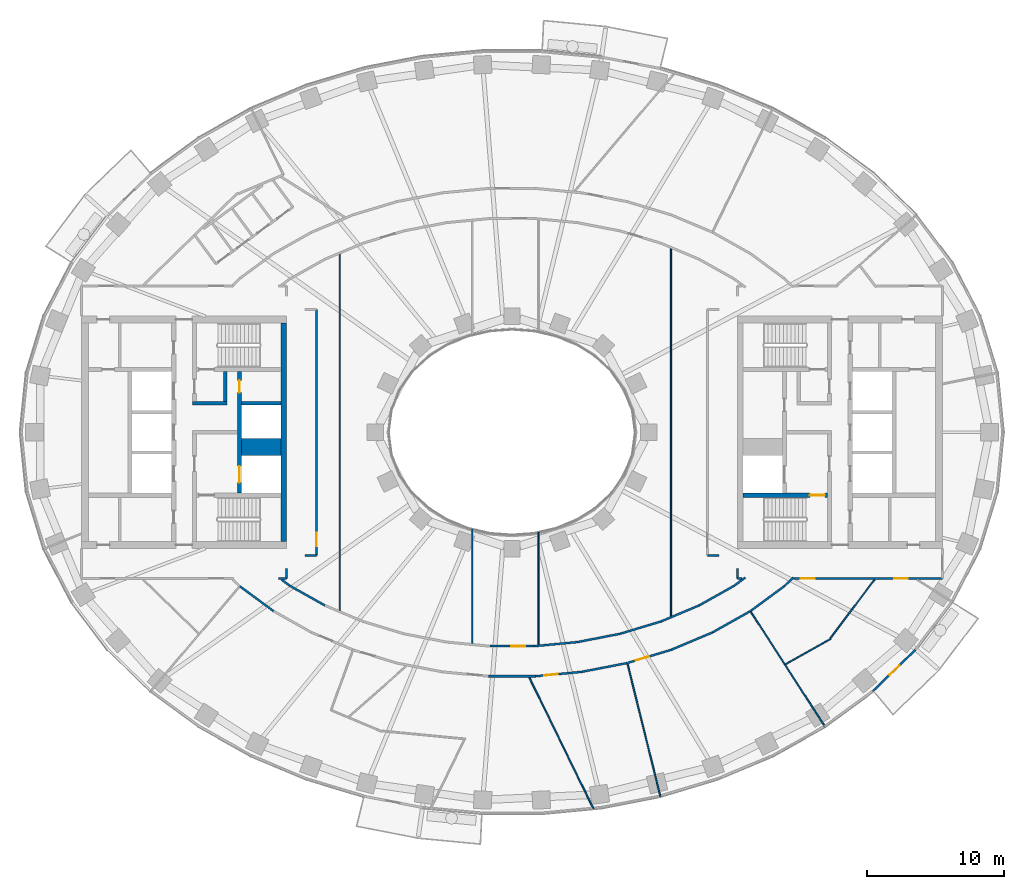
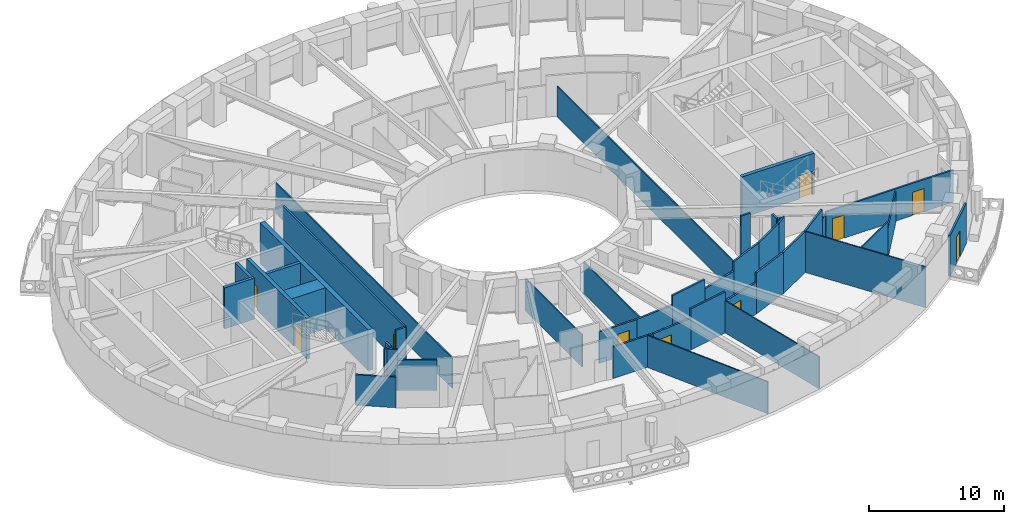
# One storey, part 4 of 17: 43 walls, 10 doors, 10 openings.
"""IFC4 building model written with IfcOpenShell, lengths in metres."""

from ifc_helpers import new_model, si_unit, direction, frame, frame_2d, origin, place, context, subcontext, project, spatial, rectangle, extrude, material, layer, layer_set, type_object, element, fill, save


model = new_model("IFC4")

# Units and contexts
model_context = context("Model", 3, precision=1e-05, world=origin(), true_north=direction((0.0, 1.0)))
body_context = subcontext(model_context, "Body", "Model", "MODEL_VIEW")
ifc_project = project(units=[si_unit("LENGTHUNIT", "METRE"), si_unit("AREAUNIT", "SQUARE_METRE"), si_unit("VOLUMEUNIT", "CUBIC_METRE"), si_unit("PLANEANGLEUNIT", "RADIAN"), si_unit("MASSUNIT", "GRAM", prefix="KILO")], contexts=[model_context])

# Site, building, storey
site_placement = place(None, origin())
site = spatial("IfcSite", under=ifc_project, at=site_placement, CompositionType="ELEMENT")
building_placement = place(site_placement, origin())
building = spatial("IfcBuilding", under=site, at=building_placement, Name="Noorbagh Ring Tower", CompositionType="ELEMENT")
storey_placement = place(building_placement, frame((0.0, 0.0, 112.0)))
storey = spatial("IfcBuildingStorey", under=building, at=storey_placement, Name="L25", CompositionType="ELEMENT", Elevation=112.0)

# Walls
ifc_material_1 = material(Name="Concrete C70/85", Category="concrete")
ifc_layer_1 = layer(ifc_material_1, 1.25)
ifc_layer_set_1 = layer_set([ifc_layer_1], Name="Concrete C70/85")
wall_type_1 = type_object("IfcWallType", Name="CORE-WALL-1250-C70-85-EI120", PredefinedType="SHEAR", material=ifc_layer_set_1)
wall_1_placement = place(storey_placement, frame((-16.89990234375, -1.074951171875, 0.0), z_axis=(0.0, 0.0, 1.0), x_axis=(-1.0, 0.0, 0.0)))
element("IfcWall", 1, at=wall_1_placement, inside=storey, type_object=wall_type_1, Name="Core wall W", PredefinedType="SHEAR", context=body_context, shape_type="SweptSolid", body=[
    extrude(rectangle(XDim=2.900146484375, YDim=1.25, at=frame_2d((1.4501953125, 0.0))), origin(), (0.0, 0.0, 1.0), 3.699951171875),
])
ifc_material_2 = material(Name="Concrete C70/85", Category="concrete")
ifc_layer_2 = layer(ifc_material_2, 0.25)
ifc_layer_set_2 = layer_set([ifc_layer_2], Name="Concrete C70/85")
wall_type_2 = type_object("IfcWallType", Name="CORE-WALL-250-C70-85-EI120", PredefinedType="SHEAR", material=ifc_layer_set_2)
wall_2_placement = place(storey_placement, frame((-16.89990234375, 2.125, 0.0), z_axis=(0.0, 0.0, 1.0), x_axis=(-1.0, 0.0, 0.0)))
element("IfcWall", 2, at=wall_2_placement, inside=storey, type_object=wall_type_2, Name="Core wall W", PredefinedType="SHEAR", context=body_context, shape_type="SweptSolid", body=[
    extrude(rectangle(XDim=2.900146484375, YDim=0.25, at=frame_2d((1.4501953125, 0.0))), origin(), (0.0, 0.0, 1.0), 3.699951171875),
])
ifc_material_3 = material(Name="Concrete C70/85", Category="concrete")
ifc_layer_3 = layer(ifc_material_3, 0.25)
ifc_layer_set_3 = layer_set([ifc_layer_3], Name="Concrete C70/85")
wall_type_3 = type_object("IfcWallType", Name="CORE-WALL-250-C70-85-EI240", PredefinedType="SHEAR", material=ifc_layer_set_3)
wall_3_placement = place(storey_placement, frame((-20.85009765625, 2.125, 0.0), z_axis=(0.0, 0.0, 1.0), x_axis=(-1.0, 0.0, 0.0)))
element("IfcWall", 3, at=wall_3_placement, inside=storey, type_object=wall_type_3, Name="Core wall W", PredefinedType="SHEAR", context=body_context, shape_type="SweptSolid", body=[
    extrude(rectangle(XDim=2.52978515625, YDim=0.25, at=frame_2d((1.264892578125, 0.0))), origin(), (0.0, 0.0, 1.0), 3.699951171875),
])
wall_4_placement = place(storey_placement, frame((-20.97509765625, 2.25, 0.0), z_axis=(0.0, 0.0, 1.0), x_axis=(0.0, 1.0, 0.0)))
element("IfcWall", 4, at=wall_4_placement, inside=storey, type_object=wall_type_3, Name="Core wall W", PredefinedType="SHEAR", context=body_context, shape_type="SweptSolid", body=[
    extrude(rectangle(XDim=2.199951171875, YDim=0.25, at=frame_2d((1.10009765625, 0.0))), origin(), (0.0, 0.0, 1.0), 3.699951171875),
])

# Wall, openings, doors
ifc_material_4 = material(Name="Concrete C70/85", Category="concrete")
ifc_layer_4 = layer(ifc_material_4, 0.300048828125)
ifc_layer_set_4 = layer_set([ifc_layer_4], Name="Concrete C70/85")
wall_type_4 = type_object("IfcWallType", Name="CORE-WALL-300-C70-85-EI120", PredefinedType="SHEAR", material=ifc_layer_set_4)
wall_5_placement = place(storey_placement, frame((-19.949951171875, -4.449951171875, 0.0), z_axis=(0.0, 0.0, 1.0), x_axis=(0.0, 1.0, 0.0)))
wall_5 = element("IfcWall", 5, at=wall_5_placement, inside=storey, type_object=wall_type_4, Name="Core wall W", PredefinedType="SHEAR", context=body_context, shape_type="SweptSolid", body=[
    extrude(rectangle(XDim=8.89990234375, YDim=0.300048828125, at=frame_2d((4.449951171875, 0.0))), origin(), (0.0, 0.0, 1.0), 3.699951171875),
])
opening_1_placement = place(wall_5_placement, frame((0.77490234375, 0.0, 0.0)))
opening_1 = element("IfcOpeningElement", 6, at=opening_1_placement, cuts=wall_5, Name="Opening L25-CW01", PredefinedType="OPENING", context=body_context, shape_type="SweptSolid", body=[
    extrude(rectangle(XDim=1.199951171875, YDim=2.10009765625, at=frame_2d((0.60009765625, 1.050048828125))), frame((0.0, 0.16015625, 0.0), z_axis=(0.0, -1.0, 0.0), x_axis=(1.0, 0.0, 0.0)), (0.0, 0.0, 1.0), 0.320068359375),
])
opening_2_placement = place(wall_5_placement, frame((7.35009765625, 0.0, 0.0)))
opening_2 = element("IfcOpeningElement", 7, at=opening_2_placement, cuts=wall_5, Name="Opening L25-CW11", PredefinedType="OPENING", context=body_context, shape_type="SweptSolid", body=[
    extrude(rectangle(XDim=0.89990234375, YDim=2.10009765625, at=frame_2d((0.449951171875, 1.050048828125))), frame((0.0, 0.16015625, 0.0), z_axis=(0.0, -1.0, 0.0), x_axis=(1.0, 0.0, 0.0)), (0.0, 0.0, 1.0), 0.320068359375),
])
ifc_material_5 = material(Name="Steel door leaf", Category="steel")
door_type_1 = type_object("IfcDoorType", Name="CORE-DOOR-DROOM", OperationType="SINGLE_SWING_LEFT", PredefinedType="DOOR", material=ifc_material_5)
door_1_placement = place(opening_2_placement, origin())
door_1 = element("IfcDoor", 8, at=door_1_placement, inside=storey, type_object=door_type_1, Name="Core room door L25-CW11", OperationType="SINGLE_SWING_LEFT", OverallHeight=2.10009765625, OverallWidth=0.89990234375, PredefinedType="DOOR", context=body_context, shape_type="SweptSolid", body=[
    extrude(rectangle(XDim=0.89990234375, YDim=2.10009765625, at=frame_2d((0.449951171875, 1.050048828125))), frame((0.0, 0.02490234375, 0.0), z_axis=(0.0, -1.0, 0.0), x_axis=(1.0, 0.0, 0.0)), (0.0, 0.0, 1.0), 0.050048828125),
])
fill(opening_2, door_1)
ifc_material_6 = material(Name="Steel door leaf", Category="steel")
door_type_2 = type_object("IfcDoorType", Name="CORE-DOOR-LDW", OperationType="DOUBLE_DOOR_SLIDING", PredefinedType="DOOR", material=ifc_material_6)
door_2_placement = place(opening_1_placement, origin())
door_2 = element("IfcDoor", 9, at=door_2_placement, inside=storey, type_object=door_type_2, Name="Landing door FF1 L25-CW01", OperationType="DOUBLE_DOOR_SLIDING", OverallHeight=2.10009765625, OverallWidth=1.199951171875, PredefinedType="DOOR", context=body_context, shape_type="SweptSolid", body=[
    extrude(rectangle(XDim=1.199951171875, YDim=2.10009765625, at=frame_2d((0.60009765625, 1.050048828125))), frame((0.0, 0.02490234375, 0.0), z_axis=(0.0, -1.0, 0.0), x_axis=(1.0, 0.0, 0.0)), (0.0, 0.0, 1.0), 0.050048828125),
])
fill(opening_1, door_2)

# Wall, opening, door
ifc_material_7 = material(Name="Concrete C70/85", Category="concrete")
ifc_layer_5 = layer(ifc_material_7, 0.300048828125)
ifc_layer_set_5 = layer_set([ifc_layer_5], Name="Concrete C70/85")
wall_type_5 = type_object("IfcWallType", Name="CORE-WALL-300-C70-85-EI240", PredefinedType="SHEAR", material=ifc_layer_set_5)
wall_6_placement = place(storey_placement, frame((16.89990234375, -4.60009765625, 0.0), z_axis=(0.0, 0.0, 1.0), x_axis=(1.0, 0.0, 0.0)))
wall_6 = element("IfcWall", 10, at=wall_6_placement, inside=storey, type_object=wall_type_5, Name="Core wall E", PredefinedType="SHEAR", context=body_context, shape_type="SweptSolid", body=[
    extrude(rectangle(XDim=6.18017578125, YDim=0.300048828125, at=frame_2d((3.090087890625, 0.0))), origin(), (0.0, 0.0, 1.0), 3.699951171875),
])
opening_3_placement = place(wall_6_placement, frame((4.89990234375, 0.0, 0.0)))
opening_3 = element("IfcOpeningElement", 11, at=opening_3_placement, cuts=wall_6, Name="Opening L25-CE06", PredefinedType="OPENING", context=body_context, shape_type="SweptSolid", body=[
    extrude(rectangle(XDim=1.10009765625, YDim=2.10009765625, at=frame_2d((0.550048828125, 1.050048828125))), frame((0.0, 0.16015625, 0.0), z_axis=(0.0, -1.0, 0.0), x_axis=(1.0, 0.0, 0.0)), (0.0, 0.0, 1.0), 0.320068359375),
])
ifc_material_8 = material(Name="Steel door leaf", Category="steel")
door_type_3 = type_object("IfcDoorType", Name="CORE-DOOR-DSTAIR", OperationType="SINGLE_SWING_LEFT", PredefinedType="DOOR", material=ifc_material_8)
door_3_placement = place(opening_3_placement, origin())
door_3 = element("IfcDoor", 12, at=door_3_placement, inside=storey, type_object=door_type_3, Name="Stair door ST4 L25-CE06", OperationType="SINGLE_SWING_RIGHT", OverallHeight=2.10009765625, OverallWidth=1.10009765625, PredefinedType="DOOR", context=body_context, shape_type="SweptSolid", body=[
    extrude(rectangle(XDim=1.10009765625, YDim=2.10009765625, at=frame_2d((0.550048828125, 1.050048828125))), frame((0.0, 0.02490234375, 0.0), z_axis=(0.0, -1.0, 0.0), x_axis=(1.0, 0.0, 0.0)), (0.0, 0.0, 1.0), 0.050048828125),
])
fill(opening_3, door_3)

# Walls
ifc_material_9 = material(Name="Concrete C70/85", Category="concrete")
ifc_layer_6 = layer(ifc_material_9, 0.39990234375)
ifc_layer_set_6 = layer_set([ifc_layer_6], Name="Concrete C70/85")
wall_type_6 = type_object("IfcWallType", Name="CORE-WALL-400-C70-85-EI240", PredefinedType="SHEAR", material=ifc_layer_set_6)
wall_7_placement = place(storey_placement, frame((-16.699951171875, -8.0, 0.0), z_axis=(0.0, 0.0, 1.0), x_axis=(0.0, 1.0, 0.0)))
element("IfcWall", 13, at=wall_7_placement, inside=storey, type_object=wall_type_6, Name="Core wall W", PredefinedType="SHEAR", context=body_context, shape_type="SweptSolid", body=[
    extrude(rectangle(XDim=16.0, YDim=0.39990234375, at=frame_2d((8.0, 0.0))), origin(), (0.0, 0.0, 1.0), 3.699951171875),
])
ifc_material_10 = material(Name="Gypsum board on steel studs", Category="steel")
ifc_layer_7 = layer(ifc_material_10, 0.14990234375)
ifc_layer_set_7 = layer_set([ifc_layer_7], Name="Gypsum board on steel studs")
wall_type_7 = type_object("IfcWallType", Name="CORRIDOR PARTITION 150 EI 30", PredefinedType="PARTITIONING", material=ifc_layer_set_7)
wall_8_placement = place(storey_placement, frame((-19.903076171875, -11.27197265625, 0.0), z_axis=(0.0, 0.0, 1.0), x_axis=(0.805228684186, -0.592964388613, 0.0)))
element("IfcWall", 14, at=wall_8_placement, inside=storey, type_object=wall_type_7, Name="L25/wall/P19", PredefinedType="PARTITIONING", context=body_context, shape_type="SweptSolid", body=[
    extrude(rectangle(XDim=3.052490234375, YDim=0.14990234375, at=frame_2d((1.5263671875, 0.0))), origin(), (0.0, 0.0, 1.0), 2.75),
])
wall_9_placement = place(storey_placement, frame((-17.094970703125, -10.699951171875, 0.0), z_axis=(0.0, 0.0, 1.0), x_axis=(1.0, 0.0, 0.0)))
element("IfcWall", 15, at=wall_9_placement, inside=storey, type_object=wall_type_7, Name="L25/wall/P26", PredefinedType="PARTITIONING", context=body_context, shape_type="SweptSolid", body=[
    extrude(rectangle(XDim=0.594970703125, YDim=0.14990234375, at=frame_2d((0.29736328125, 0.0))), origin(), (0.0, 0.0, 1.0), 3.699951171875),
])
wall_10_placement = place(storey_placement, frame((-16.866943359375, -10.77490234375, 0.0), z_axis=(0.0, 0.0, 1.0), x_axis=(0.804751563869, -0.593611759023, 0.0)))
element("IfcWall", 16, at=wall_10_placement, inside=storey, type_object=wall_type_7, Name="L25/wall/P27", PredefinedType="PARTITIONING", context=body_context, shape_type="SweptSolid", body=[
    extrude(rectangle(XDim=0.7666015625, YDim=0.14990234375, at=frame_2d((0.38330078125, 0.0))), origin(), (0.0, 0.0, 1.0), 3.699951171875),
])
wall_11_placement = place(storey_placement, frame((-16.5, -10.699951171875, 0.0), z_axis=(0.0, 0.0, 1.0), x_axis=(0.0, 1.0, 0.0)))
element("IfcWall", 17, at=wall_11_placement, inside=storey, type_object=wall_type_7, Name="L25/wall/P30", PredefinedType="PARTITIONING", context=body_context, shape_type="SweptSolid", body=[
    extrude(rectangle(XDim=0.73583984375, YDim=0.14990234375, at=frame_2d((0.367919921875, 0.0))), origin(), (0.0, 0.0, 1.0), 3.699951171875),
])
wall_12_placement = place(storey_placement, frame((-16.25, -11.22998046875, 0.0), z_axis=(0.0, 0.0, 1.0), x_axis=(0.872147381065, -0.489243237767, 0.0)))
element("IfcWall", 18, at=wall_12_placement, inside=storey, type_object=wall_type_7, Name="L25/wall/P32", PredefinedType="PARTITIONING", context=body_context, shape_type="SweptSolid", body=[
    extrude(rectangle(XDim=2.92724609375, YDim=0.14990234375, at=frame_2d((1.463623046875, 0.0))), origin(), (0.0, 0.0, 1.0), 2.75),
])
wall_13_placement = place(storey_placement, frame((-15.134033203125, -9.0, 0.0), z_axis=(0.0, 0.0, 1.0), x_axis=(1.0, 0.0, 0.0)))
element("IfcWall", 19, at=wall_13_placement, inside=storey, type_object=wall_type_7, Name="L25/wall/P34", PredefinedType="PARTITIONING", context=body_context, shape_type="SweptSolid", body=[
    extrude(rectangle(XDim=0.833984375, YDim=0.14990234375, at=frame_2d((0.4169921875, 0.0))), origin(), (0.0, 0.0, 1.0), 3.699951171875),
])

# Wall, opening, door
wall_14_placement = place(storey_placement, frame((-14.300048828125, -9.0, 0.0), z_axis=(0.0, 0.0, 1.0), x_axis=(0.0, 1.0, 0.0)))
wall_14 = element("IfcWall", 20, at=wall_14_placement, inside=storey, type_object=wall_type_7, Name="L25/wall/P38", PredefinedType="PARTITIONING", context=body_context, shape_type="SweptSolid", body=[
    extrude(rectangle(XDim=18.0, YDim=0.14990234375, at=frame_2d((9.0, 0.0))), origin(), (0.0, 0.0, 1.0), 3.699951171875),
])
opening_4_placement = place(wall_14_placement, frame((0.64990234375, 0.0, 0.0)))
opening_4 = element("IfcOpeningElement", 21, at=opening_4_placement, cuts=wall_14, Name="Opening D1", PredefinedType="OPENING", context=body_context, shape_type="SweptSolid", body=[
    extrude(rectangle(XDim=1.0, YDim=2.10009765625, at=frame_2d((0.5, 1.050048828125))), frame((0.0, 0.0849609375, 0.0), z_axis=(0.0, -1.0, 0.0), x_axis=(1.0, 0.0, 0.0)), (0.0, 0.0, 1.0), 0.169921875),
])
ifc_material_11 = material(Name="Timber, painted", Category="wood")
door_type_4 = type_object("IfcDoorType", Name="DOOR 1000 X 2100 FD30", OperationType="SINGLE_SWING_LEFT", PredefinedType="DOOR", material=ifc_material_11)
door_4_placement = place(opening_4_placement, origin())
door_4 = element("IfcDoor", 22, at=door_4_placement, inside=storey, type_object=door_type_4, Name="L25-D21", OperationType="SINGLE_SWING_LEFT", OverallHeight=2.10009765625, OverallWidth=1.0, PredefinedType="DOOR", context=body_context, shape_type="SweptSolid", body=[
    extrude(rectangle(XDim=1.0, YDim=2.10009765625, at=frame_2d((0.5, 1.050048828125))), frame((0.0, 0.02490234375, 0.0), z_axis=(0.0, -1.0, 0.0), x_axis=(1.0, 0.0, 0.0)), (0.0, 0.0, 1.0), 0.050048828125),
])
fill(opening_4, door_4)

# Wall
wall_15_placement = place(storey_placement, frame((-1.7119140625, -17.847900390625, 0.0), z_axis=(0.0, 0.0, 1.0), x_axis=(1.0, 0.0, 0.0)))
element("IfcWall", 23, at=wall_15_placement, inside=storey, type_object=wall_type_7, Name="L25/wall/P61", PredefinedType="PARTITIONING", context=body_context, shape_type="SweptSolid", body=[
    extrude(rectangle(XDim=3.423828125, YDim=0.14990234375, at=frame_2d((1.7119140625, 0.0))), origin(), (0.0, 0.0, 1.0), 2.85009765625),
])

# Wall, opening, door
wall_16_placement = place(storey_placement, frame((-1.60791015625, -15.64794921875, 0.0), z_axis=(0.0, 0.0, 1.0), x_axis=(1.0, 0.0, 0.0)))
wall_16 = element("IfcWall", 24, at=wall_16_placement, inside=storey, type_object=wall_type_7, Name="L25/wall/P63", PredefinedType="PARTITIONING", context=body_context, shape_type="SweptSolid", body=[
    extrude(rectangle(XDim=3.2158203125, YDim=0.14990234375, at=frame_2d((1.60791015625, 0.0))), origin(), (0.0, 0.0, 1.0), 2.85009765625),
])
opening_5_placement = place(wall_16_placement, frame((1.56591796875, 0.0, 0.0)))
opening_5 = element("IfcOpeningElement", 25, at=opening_5_placement, cuts=wall_16, Name="Opening D1", PredefinedType="OPENING", context=body_context, shape_type="SweptSolid", body=[
    extrude(rectangle(XDim=1.0, YDim=2.10009765625, at=frame_2d((0.5, 1.050048828125))), frame((0.0, 0.0849609375, 0.0), z_axis=(0.0, -1.0, 0.0), x_axis=(1.0, 0.0, 0.0)), (0.0, 0.0, 1.0), 0.169921875),
])
door_5_placement = place(opening_5_placement, origin())
door_5 = element("IfcDoor", 26, at=door_5_placement, inside=storey, type_object=door_type_4, Name="L25-D23", OperationType="SINGLE_SWING_LEFT", OverallHeight=2.10009765625, OverallWidth=1.0, PredefinedType="DOOR", context=body_context, shape_type="SweptSolid", body=[
    extrude(rectangle(XDim=1.0, YDim=2.10009765625, at=frame_2d((0.5, 1.050048828125))), frame((0.0, 0.02490234375, 0.0), z_axis=(0.0, -1.0, 0.0), x_axis=(1.0, 0.0, 0.0)), (0.0, 0.0, 1.0), 0.050048828125),
])
fill(opening_5, door_5)

# Wall
wall_17_placement = place(storey_placement, frame((1.60791015625, -15.64794921875, 0.0), z_axis=(0.0, 0.0, 1.0), x_axis=(0.995491705426, 0.09484863957, 0.0)))
element("IfcWall", 27, at=wall_17_placement, inside=storey, type_object=wall_type_7, Name="L25/wall/P66", PredefinedType="PARTITIONING", context=body_context, shape_type="SweptSolid", body=[
    extrude(rectangle(XDim=3.20458984375, YDim=0.14990234375, at=frame_2d((1.602294921875, 0.0))), origin(), (0.0, 0.0, 1.0), 2.85009765625),
])

# Wall, opening, door
wall_18_placement = place(storey_placement, frame((1.7119140625, -17.847900390625, 0.0), z_axis=(0.0, 0.0, 1.0), x_axis=(0.995466844572, 0.095109207532, 0.0)))
wall_18 = element("IfcWall", 28, at=wall_18_placement, inside=storey, type_object=wall_type_7, Name="L25/wall/P68", PredefinedType="PARTITIONING", context=body_context, shape_type="SweptSolid", body=[
    extrude(rectangle(XDim=3.41650390625, YDim=0.14990234375, at=frame_2d((1.708251953125, 0.0))), origin(), (0.0, 0.0, 1.0), 2.85009765625),
])
opening_6_placement = place(wall_18_placement, frame((0.64990234375, 0.0, 0.0)))
opening_6 = element("IfcOpeningElement", 29, at=opening_6_placement, cuts=wall_18, Name="Opening D1", PredefinedType="OPENING", context=body_context, shape_type="SweptSolid", body=[
    extrude(rectangle(XDim=1.0, YDim=2.10009765625, at=frame_2d((0.5, 1.050048828125))), frame((0.0, 0.0849609375, 0.0), z_axis=(0.0, -1.0, 0.0), x_axis=(1.0, 0.0, 0.0)), (0.0, 0.0, 1.0), 0.169921875),
])
door_6_placement = place(opening_6_placement, origin())
door_6 = element("IfcDoor", 30, at=door_6_placement, inside=storey, type_object=door_type_4, Name="L25-D13", OperationType="SINGLE_SWING_LEFT", OverallHeight=2.10009765625, OverallWidth=1.0, PredefinedType="DOOR", context=body_context, shape_type="SweptSolid", body=[
    extrude(rectangle(XDim=1.0, YDim=2.10009765625, at=frame_2d((0.5, 1.050048828125))), frame((0.0, 0.02490234375, 0.0), z_axis=(0.0, -1.0, 0.0), x_axis=(1.0, 0.0, 0.0)), (0.0, 0.0, 1.0), 0.050048828125),
])
fill(opening_6, door_6)

# Walls
wall_19_placement = place(storey_placement, frame((4.798095703125, -15.343994140625, 0.0), z_axis=(0.0, 0.0, 1.0), x_axis=(0.981588545092, 0.191007665145, 0.0)))
element("IfcWall", 31, at=wall_19_placement, inside=storey, type_object=wall_type_7, Name="L25/wall/P73", PredefinedType="PARTITIONING", context=body_context, shape_type="SweptSolid", body=[
    extrude(rectangle(XDim=3.17236328125, YDim=0.14990234375, at=frame_2d((1.586181640625, 0.0))), origin(), (0.0, 0.0, 1.0), 3.699951171875),
])
wall_20_placement = place(storey_placement, frame((5.113037109375, -17.52294921875, 0.0), z_axis=(0.0, 0.0, 1.0), x_axis=(0.981690354374, 0.19048372143, 0.0)))
element("IfcWall", 32, at=wall_20_placement, inside=storey, type_object=wall_type_7, Name="L25/wall/P75", PredefinedType="PARTITIONING", context=body_context, shape_type="SweptSolid", body=[
    extrude(rectangle(XDim=3.36962890625, YDim=0.14990234375, at=frame_2d((1.684814453125, 0.0))), origin(), (0.0, 0.0, 1.0), 3.699951171875),
])
wall_21_placement = place(storey_placement, frame((7.912109375, -14.738037109375, 0.0), z_axis=(0.0, 0.0, 1.0), x_axis=(0.957606118849, 0.28808075455, 0.0)))
element("IfcWall", 33, at=wall_21_placement, inside=storey, type_object=wall_type_7, Name="L25/wall/P77", PredefinedType="PARTITIONING", context=body_context, shape_type="SweptSolid", body=[
    extrude(rectangle(XDim=3.116943359375, YDim=0.14990234375, at=frame_2d((1.55859375, 0.0))), origin(), (0.0, 0.0, 1.0), 2.85009765625),
])

# Wall, opening, door
wall_22_placement = place(storey_placement, frame((8.458984375, -16.87109375, 0.0), z_axis=(0.0, 0.0, 1.0), x_axis=(0.957595601217, 0.288115713784, 0.0)))
wall_22 = element("IfcWall", 34, at=wall_22_placement, inside=storey, type_object=wall_type_7, Name="L25/wall/P81", PredefinedType="PARTITIONING", context=body_context, shape_type="SweptSolid", body=[
    extrude(rectangle(XDim=3.3251953125, YDim=0.14990234375, at=frame_2d((1.66259765625, 0.0))), origin(), (0.0, 0.0, 1.0), 2.85009765625),
])
opening_7_placement = place(wall_22_placement, frame((0.630126953125, 0.0, 0.0)))
opening_7 = element("IfcOpeningElement", 35, at=opening_7_placement, cuts=wall_22, Name="Opening D1", PredefinedType="OPENING", context=body_context, shape_type="SweptSolid", body=[
    extrude(rectangle(XDim=1.0, YDim=2.10009765625, at=frame_2d((0.5, 1.050048828125))), frame((0.0, 0.0849609375, 0.0), z_axis=(0.0, -1.0, 0.0), x_axis=(1.0, 0.0, 0.0)), (0.0, 0.0, 1.0), 0.169921875),
])
door_7_placement = place(opening_7_placement, origin())
door_7 = element("IfcDoor", 36, at=door_7_placement, inside=storey, type_object=door_type_4, Name="L25-D15", OperationType="SINGLE_SWING_LEFT", OverallHeight=2.10009765625, OverallWidth=1.0, PredefinedType="DOOR", context=body_context, shape_type="SweptSolid", body=[
    extrude(rectangle(XDim=1.0, YDim=2.10009765625, at=frame_2d((0.5, 1.050048828125))), frame((0.0, 0.02490234375, 0.0), z_axis=(0.0, -1.0, 0.0), x_axis=(1.0, 0.0, 0.0)), (0.0, 0.0, 1.0), 0.050048828125),
])
fill(opening_7, door_7)

# Walls
wall_23_placement = place(storey_placement, frame((10.89697265625, -13.840087890625, 0.0), z_axis=(0.0, 0.0, 1.0), x_axis=(0.921751821358, 0.387780324183, 0.0)))
element("IfcWall", 37, at=wall_23_placement, inside=storey, type_object=wall_type_7, Name="L25/wall/P82", PredefinedType="PARTITIONING", context=body_context, shape_type="SweptSolid", body=[
    extrude(rectangle(XDim=3.037841796875, YDim=0.14990234375, at=frame_2d((1.51904296875, 0.0))), origin(), (0.0, 0.0, 1.0), 3.699951171875),
])
wall_24_placement = place(storey_placement, frame((11.64306640625, -15.9130859375, 0.0), z_axis=(0.0, 0.0, 1.0), x_axis=(0.921789499058, 0.38769075231, 0.0)))
element("IfcWall", 38, at=wall_24_placement, inside=storey, type_object=wall_type_7, Name="L25/wall/P85", PredefinedType="PARTITIONING", context=body_context, shape_type="SweptSolid", body=[
    extrude(rectangle(XDim=3.2783203125, YDim=0.14990234375, at=frame_2d((1.63916015625, 0.0))), origin(), (0.0, 0.0, 1.0), 3.699951171875),
])
wall_25_placement = place(storey_placement, frame((13.697021484375, -12.662109375, 0.0), z_axis=(0.0, 0.0, 1.0), x_axis=(0.872147381065, 0.489243237767, 0.0)))
element("IfcWall", 39, at=wall_25_placement, inside=storey, type_object=wall_type_7, Name="L25/wall/P87", PredefinedType="PARTITIONING", context=body_context, shape_type="SweptSolid", body=[
    extrude(rectangle(XDim=2.92724609375, YDim=0.14990234375, at=frame_2d((1.463623046875, 0.0))), origin(), (0.0, 0.0, 1.0), 3.699951171875),
])
wall_26_placement = place(storey_placement, frame((14.300048828125, -9.0, 0.0), z_axis=(0.0, 0.0, 1.0), x_axis=(1.0, 0.0, 0.0)))
element("IfcWall", 40, at=wall_26_placement, inside=storey, type_object=wall_type_7, Name="L25/wall/P90", PredefinedType="PARTITIONING", context=body_context, shape_type="SweptSolid", body=[
    extrude(rectangle(XDim=0.833984375, YDim=0.14990234375, at=frame_2d((0.4169921875, 0.0))), origin(), (0.0, 0.0, 1.0), 3.699951171875),
])
wall_27_placement = place(storey_placement, frame((14.6650390625, -14.64208984375, 0.0), z_axis=(0.0, 0.0, 1.0), x_axis=(0.871997056828, 0.4895111162, 0.0)))
element("IfcWall", 41, at=wall_27_placement, inside=storey, type_object=wall_type_7, Name="L25/wall/P92", PredefinedType="PARTITIONING", context=body_context, shape_type="SweptSolid", body=[
    extrude(rectangle(XDim=3.16845703125, YDim=0.14990234375, at=frame_2d((1.584228515625, 0.0))), origin(), (0.0, 0.0, 1.0), 3.699951171875),
])
wall_28_placement = place(storey_placement, frame((16.25, -11.22998046875, 0.0), z_axis=(0.0, 0.0, 1.0), x_axis=(0.805055837353, 0.59319903805, 0.0)))
element("IfcWall", 42, at=wall_28_placement, inside=storey, type_object=wall_type_7, Name="L25/wall/P95", PredefinedType="PARTITIONING", context=body_context, shape_type="SweptSolid", body=[
    extrude(rectangle(XDim=1.019775390625, YDim=0.14990234375, at=frame_2d((0.509765625, 0.0))), origin(), (0.0, 0.0, 1.0), 3.699951171875),
])
wall_29_placement = place(storey_placement, frame((16.5, -10.699951171875, 0.0), z_axis=(0.0, 0.0, 1.0), x_axis=(0.0, 1.0, 0.0)))
element("IfcWall", 43, at=wall_29_placement, inside=storey, type_object=wall_type_7, Name="L25/wall/P97", PredefinedType="PARTITIONING", context=body_context, shape_type="SweptSolid", body=[
    extrude(rectangle(XDim=0.73583984375, YDim=0.14990234375, at=frame_2d((0.367919921875, 0.0))), origin(), (0.0, 0.0, 1.0), 3.699951171875),
])
wall_30_placement = place(storey_placement, frame((16.5, -10.699951171875, 0.0), z_axis=(0.0, 0.0, 1.0), x_axis=(1.0, 0.0, 0.0)))
element("IfcWall", 44, at=wall_30_placement, inside=storey, type_object=wall_type_7, Name="L25/wall/P98", PredefinedType="PARTITIONING", context=body_context, shape_type="SweptSolid", body=[
    extrude(rectangle(XDim=0.343017578125, YDim=0.14990234375, at=frame_2d((0.17138671875, 0.0))), origin(), (0.0, 0.0, 1.0), 3.699951171875),
])
wall_31_placement = place(storey_placement, frame((17.4609375, -13.070068359375, 0.0), z_axis=(0.0, 0.0, 1.0), x_axis=(0.805228684186, 0.592964388613, 0.0)))
element("IfcWall", 45, at=wall_31_placement, inside=storey, type_object=wall_type_7, Name="L25/wall/P103", PredefinedType="PARTITIONING", context=body_context, shape_type="SweptSolid", body=[
    extrude(rectangle(XDim=3.052490234375, YDim=0.14990234375, at=frame_2d((1.5263671875, 0.0))), origin(), (0.0, 0.0, 1.0), 3.699951171875),
])
wall_32_placement = place(storey_placement, frame((19.9189453125, -11.260009765625, 0.0), z_axis=(0.0, 0.0, 1.0), x_axis=(0.716953986293, 0.697120492841, 0.0)))
element("IfcWall", 46, at=wall_32_placement, inside=storey, type_object=wall_type_7, Name="L25/wall/P104", PredefinedType="PARTITIONING", context=body_context, shape_type="SweptSolid", body=[
    extrude(rectangle(XDim=0.910888671875, YDim=0.14990234375, at=frame_2d((0.45556640625, 0.0))), origin(), (0.0, 0.0, 1.0), 2.75),
])

# Wall, openings, doors
wall_33_placement = place(storey_placement, frame((20.60302734375, -10.699951171875, 0.0), z_axis=(0.0, 0.0, 1.0), x_axis=(1.0, 0.0, 0.0)))
wall_33 = element("IfcWall", 47, at=wall_33_placement, inside=storey, type_object=wall_type_7, Name="L25/wall/P107", PredefinedType="PARTITIONING", context=body_context, shape_type="SweptSolid", body=[
    extrude(rectangle(XDim=10.89697265625, YDim=0.14990234375, at=frame_2d((5.448486328125, 0.0))), origin(), (0.0, 0.0, 1.0), 2.89990234375),
])
opening_8_placement = place(wall_33_placement, frame((0.5419921875, 0.0, 0.0)))
opening_8 = element("IfcOpeningElement", 48, at=opening_8_placement, cuts=wall_33, Name="Opening D1", PredefinedType="OPENING", context=body_context, shape_type="SweptSolid", body=[
    extrude(rectangle(XDim=1.0, YDim=2.10009765625, at=frame_2d((0.5, 1.050048828125))), frame((0.0, 0.0849609375, 0.0), z_axis=(0.0, -1.0, 0.0), x_axis=(1.0, 0.0, 0.0)), (0.0, 0.0, 1.0), 0.169921875),
])
opening_9_placement = place(wall_33_placement, frame((7.3720703125, 0.0, 0.0)))
opening_9 = element("IfcOpeningElement", 49, at=opening_9_placement, cuts=wall_33, Name="Opening D1", PredefinedType="OPENING", context=body_context, shape_type="SweptSolid", body=[
    extrude(rectangle(XDim=1.0, YDim=2.10009765625, at=frame_2d((0.5, 1.050048828125))), frame((0.0, 0.0849609375, 0.0), z_axis=(0.0, -1.0, 0.0), x_axis=(1.0, 0.0, 0.0)), (0.0, 0.0, 1.0), 0.169921875),
])
door_8_placement = place(opening_8_placement, origin())
door_8 = element("IfcDoor", 50, at=door_8_placement, inside=storey, type_object=door_type_4, Name="L25-D17", OperationType="SINGLE_SWING_LEFT", OverallHeight=2.10009765625, OverallWidth=1.0, PredefinedType="DOOR", context=body_context, shape_type="SweptSolid", body=[
    extrude(rectangle(XDim=1.0, YDim=2.10009765625, at=frame_2d((0.5, 1.050048828125))), frame((0.0, 0.02490234375, 0.0), z_axis=(0.0, -1.0, 0.0), x_axis=(1.0, 0.0, 0.0)), (0.0, 0.0, 1.0), 0.050048828125),
])
fill(opening_8, door_8)
door_9_placement = place(opening_9_placement, origin())
door_9 = element("IfcDoor", 51, at=door_9_placement, inside=storey, type_object=door_type_4, Name="L25-D18", OperationType="SINGLE_SWING_RIGHT", OverallHeight=2.10009765625, OverallWidth=1.0, PredefinedType="DOOR", context=body_context, shape_type="SweptSolid", body=[
    extrude(rectangle(XDim=1.0, YDim=2.10009765625, at=frame_2d((0.5, 1.050048828125))), frame((0.0, 0.02490234375, 0.0), z_axis=(0.0, -1.0, 0.0), x_axis=(1.0, 0.0, 0.0)), (0.0, 0.0, 1.0), 0.050048828125),
])
fill(opening_9, door_9)

# Wall, opening, door
ifc_material_12 = material(Name="Insulated aluminium clad panel", Category="aluminium")
ifc_layer_8 = layer(ifc_material_12, 0.14990234375)
ifc_layer_set_8 = layer_set([ifc_layer_8], Name="Insulated aluminium clad panel")
wall_type_8 = type_object("IfcWallType", Name="ENV-WALL-DOOR", PredefinedType="STANDARD", material=ifc_layer_set_8)
wall_34_placement = place(storey_placement, frame((26.396484375, -18.943359375, 0.0), z_axis=(0.0, 0.0, 1.0), x_axis=(0.717214761864, 0.696852197647, 0.0)))
wall_34 = element("IfcWall", 52, at=wall_34_placement, inside=storey, type_object=wall_type_8, Name="Balcony door wall chord 42", PredefinedType="STANDARD", context=body_context, shape_type="SweptSolid", body=[
    extrude(rectangle(XDim=4.424072265625, YDim=0.14990234375, at=frame_2d((2.2119140625, 0.0))), origin(), (0.0, 0.0, 1.0), 3.699951171875),
])
opening_10_placement = place(wall_34_placement, frame((1.712158203125, 0.0, 0.0)))
opening_10 = element("IfcOpeningElement", 53, at=opening_10_placement, cuts=wall_34, Name="Opening D-BL", PredefinedType="OPENING", context=body_context, shape_type="SweptSolid", body=[
    extrude(rectangle(XDim=1.0, YDim=2.39990234375, at=frame_2d((0.5, 1.199951171875))), frame((0.0, 0.0849609375, 0.0), z_axis=(0.0, -1.0, 0.0), x_axis=(1.0, 0.0, 0.0)), (0.0, 0.0, 1.0), 0.169921875),
])
ifc_material_13 = material(Name="Aluminium and glass", Category="aluminium")
door_type_5 = type_object("IfcDoorType", Name="ENV-DOOR-BALCONY", OperationType="SINGLE_SWING_LEFT", PredefinedType="DOOR", material=ifc_material_13)
door_10_placement = place(opening_10_placement, origin())
door_10 = element("IfcDoor", 54, at=door_10_placement, inside=storey, type_object=door_type_5, Name="Balcony door chord 42", OperationType="SINGLE_SWING_RIGHT", OverallHeight=2.39990234375, OverallWidth=1.0, PredefinedType="DOOR", context=body_context, shape_type="SweptSolid", body=[
    extrude(rectangle(XDim=1.0, YDim=2.39990234375, at=frame_2d((0.5, 1.199951171875))), frame((0.0, 0.02490234375, 0.0), z_axis=(0.0, -1.0, 0.0), x_axis=(1.0, 0.0, 0.0)), (0.0, 0.0, 1.0), 0.050048828125),
])
fill(opening_10, door_10)

# Walls
ifc_material_14 = material(Name="Gypsum board on steel studs", Category="steel")
ifc_layer_9 = layer(ifc_material_14, 0.10009765625)
ifc_layer_set_9 = layer_set([ifc_layer_9], Name="Gypsum board on steel studs")
wall_type_9 = type_object("IfcWallType", Name="PARTITION 100 GYPSUM", PredefinedType="PARTITIONING", material=ifc_layer_set_9)
wall_35_placement = place(storey_placement, frame((-12.60498046875, -13.035888671875, 0.0), z_axis=(0.0, 0.0, 1.0), x_axis=(0.0, 1.0, 0.0)))
element("IfcWall", 55, at=wall_35_placement, inside=storey, type_object=wall_type_9, Name="L25/wall/P43", PredefinedType="PARTITIONING", context=body_context, shape_type="SweptSolid", body=[
    extrude(rectangle(XDim=26.07177734375, YDim=0.10009765625, at=frame_2d((13.035888671875, 0.0))), origin(), (0.0, 0.0, 1.0), 2.75),
])
wall_36_placement = place(storey_placement, frame((-2.908935546875, -15.445068359375, 0.0), z_axis=(0.0, 0.0, 1.0), x_axis=(0.0, 1.0, 0.0)))
element("IfcWall", 56, at=wall_36_placement, inside=storey, type_object=wall_type_9, Name="L25/wall/P59", PredefinedType="PARTITIONING", context=body_context, shape_type="SweptSolid", body=[
    extrude(rectangle(XDim=8.363037109375, YDim=0.10009765625, at=frame_2d((4.181640625, 0.0))), origin(), (0.0, 0.0, 1.0), 2.89990234375),
])
wall_37_placement = place(storey_placement, frame((1.257080078125, -17.923095703125, 0.0), z_axis=(0.0, 0.0, 1.0), x_axis=(0.439339826825, -0.898320942963, 0.0)))
element("IfcWall", 57, at=wall_37_placement, inside=storey, type_object=wall_type_9, Name="L25/wall/P65", PredefinedType="PARTITIONING", context=body_context, shape_type="SweptSolid", body=[
    extrude(rectangle(XDim=10.7021484375, YDim=0.10009765625, at=frame_2d((5.35107421875, 0.0))), origin(), (0.0, 0.0, 1.0), 2.89990234375),
])
wall_38_placement = place(storey_placement, frame((1.93896484375, -15.537109375, 0.0), z_axis=(0.0, 0.0, 1.0), x_axis=(0.0, 1.0, 0.0)))
element("IfcWall", 58, at=wall_38_placement, inside=storey, type_object=wall_type_9, Name="L25/wall/P70", PredefinedType="PARTITIONING", context=body_context, shape_type="SweptSolid", body=[
    extrude(rectangle(XDim=8.230224609375, YDim=0.10009765625, at=frame_2d((4.115234375, 0.0))), origin(), (0.0, 0.0, 1.0), 2.85009765625),
])
wall_39_placement = place(storey_placement, frame((8.44091796875, -16.8798828125, 0.0), z_axis=(0.0, 0.0, 1.0), x_axis=(0.240079290568, -0.970753281859, 0.0)))
element("IfcWall", 59, at=wall_39_placement, inside=storey, type_object=wall_type_9, Name="L25/wall/P80", PredefinedType="PARTITIONING", context=body_context, shape_type="SweptSolid", body=[
    extrude(rectangle(XDim=10.059326171875, YDim=0.10009765625, at=frame_2d((5.02978515625, 0.0))), origin(), (0.0, 0.0, 1.0), 2.89990234375),
])
wall_40_placement = place(storey_placement, frame((11.635986328125, -13.444091796875, 0.0), z_axis=(0.0, 0.0, 1.0), x_axis=(0.0, 1.0, 0.0)))
element("IfcWall", 60, at=wall_40_placement, inside=storey, type_object=wall_type_9, Name="L25/wall/P84", PredefinedType="PARTITIONING", context=body_context, shape_type="SweptSolid", body=[
    extrude(rectangle(XDim=26.88818359375, YDim=0.10009765625, at=frame_2d((13.444091796875, 0.0))), origin(), (0.0, 0.0, 1.0), 2.75),
])
wall_41_placement = place(storey_placement, frame((17.447021484375, -13.0849609375, 0.0), z_axis=(0.0, 0.0, 1.0), x_axis=(0.542325736183, -0.840168314015, 0.0)))
element("IfcWall", 61, at=wall_41_placement, inside=storey, type_object=wall_type_9, Name="L25/wall/P102", PredefinedType="PARTITIONING", context=body_context, shape_type="SweptSolid", body=[
    extrude(rectangle(XDim=10.06591796875, YDim=0.10009765625, at=frame_2d((5.032958984375, 0.0))), origin(), (0.0, 0.0, 1.0), 3.699951171875),
])
wall_42_placement = place(storey_placement, frame((20.014892578125, -16.969970703125, 0.0), z_axis=(0.0, 0.0, 1.0), x_axis=(0.871018559545, 0.491250108324, 0.0)))
element("IfcWall", 62, at=wall_42_placement, inside=storey, type_object=wall_type_9, Name="L25/wall/P106", PredefinedType="PARTITIONING", context=body_context, shape_type="SweptSolid", body=[
    extrude(rectangle(XDim=3.808349609375, YDim=0.10009765625, at=frame_2d((1.904296875, 0.0))), origin(), (0.0, 0.0, 1.0), 3.699951171875),
])
wall_43_placement = place(storey_placement, frame((23.298095703125, -15.06005859375, 0.0), z_axis=(0.0, 0.0, 1.0), x_axis=(0.601658833238, 0.798753183647, 0.0)))
element("IfcWall", 63, at=wall_43_placement, inside=storey, type_object=wall_type_9, Name="L25/wall/P109", PredefinedType="PARTITIONING", context=body_context, shape_type="SweptSolid", body=[
    extrude(rectangle(XDim=5.36474609375, YDim=0.10009765625, at=frame_2d((2.682373046875, 0.0))), origin(), (0.0, 0.0, 1.0), 2.75),
])

save(model, "model.ifc")
